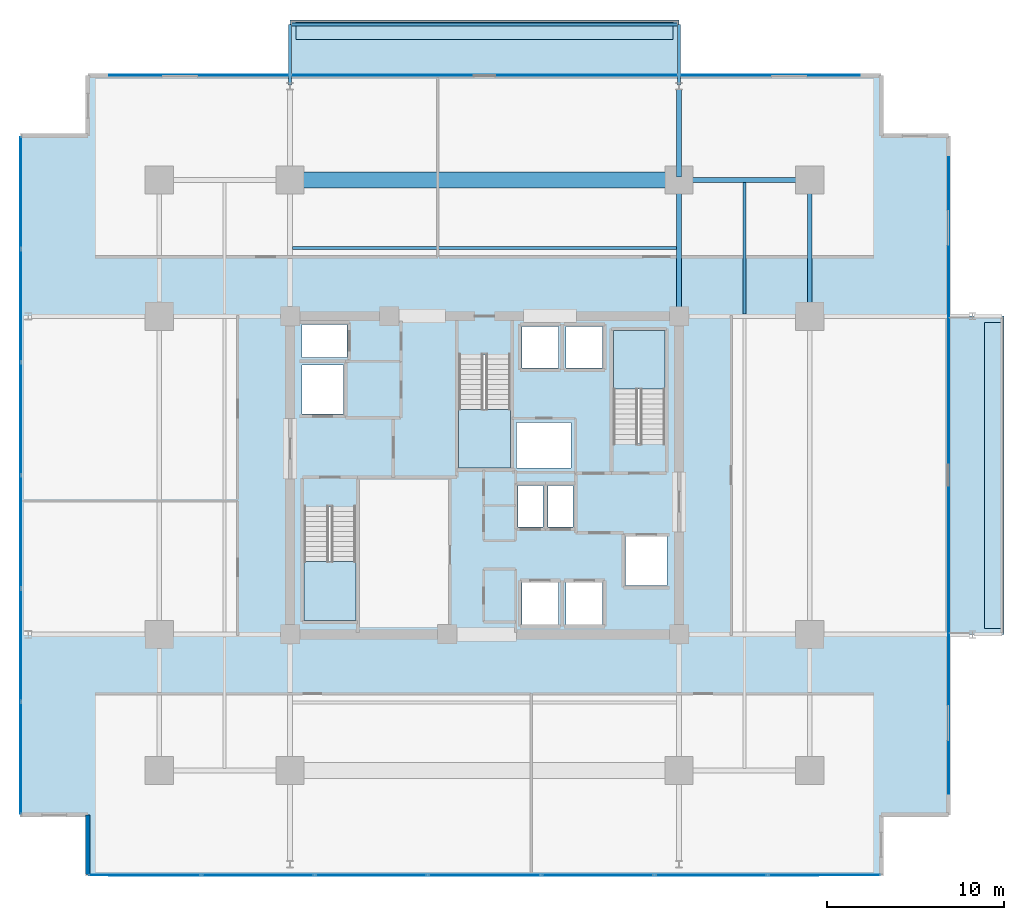
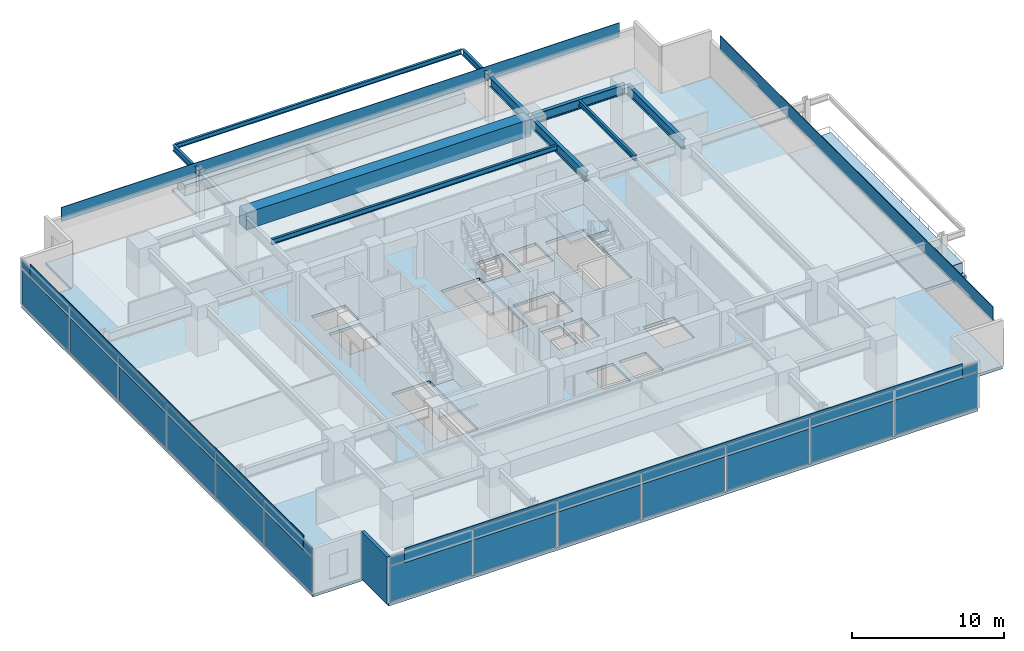
# One storey, part 11 of 20: 30 plates, 10 beams, 8 slabs, 1 wall, 5 elements without a shape of their own.
"""IFC4 building model written with IfcOpenShell, lengths in metres."""

from ifc_helpers import new_model, si_unit, direction, frame, frame_2d, origin, origin_2d, place, context, subcontext, project, spatial, polyline, rectangle, i_section, outline, extrude, material, layer, layer_set, material_profile, profile_set, type_object, element, aggregate, save


model = new_model("IFC4")

# Units and contexts
model_context = context("Model", 3, precision=1e-05, world=origin(), true_north=direction((0.0, 1.0)))
body_context = subcontext(model_context, "Body", "Model", "MODEL_VIEW")
ifc_project = project(units=[si_unit("LENGTHUNIT", "METRE"), si_unit("AREAUNIT", "SQUARE_METRE"), si_unit("VOLUMEUNIT", "CUBIC_METRE"), si_unit("PLANEANGLEUNIT", "RADIAN"), si_unit("MASSUNIT", "GRAM", prefix="KILO")], contexts=[model_context])

# Site, building, storey
site_placement = place(None, origin())
site = spatial("IfcSite", under=ifc_project, at=site_placement, CompositionType="ELEMENT")
building_placement = place(site_placement, origin())
building = spatial("IfcBuilding", under=site, at=building_placement, Name="Kovane Verandah Tower", CompositionType="ELEMENT")
storey_placement = place(building_placement, frame((0.0, 0.0, 128.39990234375)))
storey = spatial("IfcBuildingStorey", under=building, at=storey_placement, Name="L29", CompositionType="ELEMENT", Elevation=128.39990234375)

# Beams
ifc_material_1 = material(Name="Concrete C80/95", Category="concrete")
ifc_material_profile_1 = material_profile(ifc_material_1, rectangle(XDim=0.89990234375, YDim=1.35009765625, at=origin_2d()), Name="RCB900x1350")
ifc_profile_set_1 = profile_set([ifc_material_profile_1], Name="Concrete C80/95")
beam_type_1 = type_object("IfcBeamType", Name="BM-TR-900x1350", PredefinedType="BEAM", material=ifc_profile_set_1)
beam_1_placement = place(storey_placement, frame((29.179931640625, 44.199951171875, 3.10009765625), z_axis=(1.0, 0.0, 0.0), x_axis=(0.0, 1.0, 0.0)))
element("IfcBeam", 1, at=beam_1_placement, inside=storey, type_object=beam_type_1, Name="L29 Primary Tower Girder G-RN2", PredefinedType="BEAM", context=body_context, shape_type="SweptSolid", body=[
    extrude(rectangle(XDim=0.89990234375, YDim=1.35009765625, at=origin_2d()), origin(), (0.0, 0.0, 1.0), 21.64013671875),
])
ifc_material_2 = material(Name="Steel S355", Category="steel")
ifc_material_profile_2 = material_profile(ifc_material_2, i_section(OverallWidth=0.26806640625, OverallDepth=0.769775390625, WebThickness=0.015625, FlangeThickness=0.025390625, FilletRadius=0.0166015625, at=origin_2d()), Name="UB762x267x197")
ifc_profile_set_2 = profile_set([ifc_material_profile_2], Name="Steel S355")
beam_type_2 = type_object("IfcBeamType", Name="BM-UB762x197", PredefinedType="BEAM", material=ifc_profile_set_2)
beam_2_placement = place(storey_placement, frame((51.179931640625, 44.199951171875, 3.39013671875), z_axis=(1.0, 0.0, 0.0), x_axis=(0.0, 1.0, 0.0)))
element("IfcBeam", 2, at=beam_2_placement, inside=storey, type_object=beam_type_2, Name="L29 Primary Tower Girder G-RN3", PredefinedType="BEAM", context=body_context, shape_type="SweptSolid", body=[
    extrude(i_section(OverallWidth=0.26806640625, OverallDepth=0.769775390625, WebThickness=0.015625, FlangeThickness=0.025390625, FilletRadius=0.0166015625, at=origin_2d()), origin(), (0.0, 0.0, 1.0), 7.0400390625),
])
for number, where, z_axis, x_axis, name in (
    (3, (58.39990234375, 36.679931640625, 3.39013671875), (0.0, 1.0, 0.0), (-1.0, 0.0, 0.0), "L29 Primary Tower Girder G-RE3"),
    (4, (51.0, 36.679931640625, 3.39013671875), (0.0, 1.0, 0.0), (-1.0, 0.0, 0.0), "L29 Primary Tower Girder G-N2"),
):
    element("IfcBeam", number, at=place(storey_placement, frame(where, z_axis=z_axis, x_axis=x_axis)), inside=storey, type_object=beam_type_2, Name=name, PredefinedType="BEAM", context=body_context, shape_type="SweptSolid", body=[
        extrude(i_section(OverallWidth=0.26806640625, OverallDepth=0.769775390625, WebThickness=0.015625, FlangeThickness=0.025390625, FilletRadius=0.0166015625, at=origin_2d()), origin(), (0.0, 0.0, 1.0), 7.340087890625),
    ])
beam_3_placement = place(storey_placement, frame((51.0, 44.3798828125, 3.375244140625), z_axis=(0.0, 1.0, 0.0), x_axis=(-1.0, 0.0, 0.0)))
element("IfcBeam", 5, at=beam_3_placement, inside=storey, type_object=beam_type_2, Name="L29 Primary Tower Girder G-VN2", PredefinedType="BEAM", context=body_context, shape_type="SweptSolid", body=[
    extrude(i_section(OverallWidth=0.26806640625, OverallDepth=0.769775390625, WebThickness=0.015625, FlangeThickness=0.025390625, FilletRadius=0.0166015625, at=origin_2d()), origin(), (0.0, 0.0, 1.0), 4.940185546875),
])
ifc_material_profile_3 = material_profile(ifc_material_2, i_section(OverallWidth=0.179443359375, OverallDepth=0.412841796875, WebThickness=0.009521484375, FlangeThickness=0.01611328125, FilletRadius=0.01025390625, at=origin_2d()), Name="UB406x178x74")
ifc_profile_set_3 = profile_set([ifc_material_profile_3], Name="Steel S355")
beam_type_3 = type_object("IfcBeamType", Name="JST-UB406x74", PredefinedType="JOIST", material=ifc_profile_set_3)
beam_4_placement = place(storey_placement, frame((29.132080078125, 40.35009765625, 3.568603515625), z_axis=(1.0, 0.0, 0.0), x_axis=(0.0, 1.0, 0.0)))
element("IfcBeam", 6, at=beam_4_placement, inside=storey, type_object=beam_type_3, Name="L29 Secondary Composite Joist J-N1", PredefinedType="JOIST", context=body_context, shape_type="SweptSolid", body=[
    extrude(i_section(OverallWidth=0.179443359375, OverallDepth=0.412841796875, WebThickness=0.009521484375, FlangeThickness=0.01611328125, FilletRadius=0.01025390625, at=origin_2d()), origin(), (0.0, 0.0, 1.0), 21.73583984375),
])
beam_5_placement = place(storey_placement, frame((54.699951171875, 36.632080078125, 3.568603515625), z_axis=(0.0, 1.0, 0.0), x_axis=(-1.0, 0.0, 0.0)))
element("IfcBeam", 7, at=beam_5_placement, inside=storey, type_object=beam_type_3, Name="L29 Secondary Composite Joist J-NE1", PredefinedType="JOIST", context=body_context, shape_type="SweptSolid", body=[
    extrude(i_section(OverallWidth=0.179443359375, OverallDepth=0.412841796875, WebThickness=0.009521484375, FlangeThickness=0.01611328125, FilletRadius=0.01025390625, at=origin_2d()), origin(), (0.0, 0.0, 1.0), 7.43603515625),
])
ifc_material_profile_4 = material_profile(ifc_material_2, i_section(OverallWidth=0.19287109375, OverallDepth=0.46728515625, WebThickness=0.011474609375, FlangeThickness=0.01953125, FilletRadius=0.01025390625, at=origin_2d()), Name="UB457x191x98")
ifc_profile_set_4 = profile_set([ifc_material_profile_4], Name="Steel S355")
beam_type_4 = type_object("IfcBeamType", Name="JST-UB457x98", PredefinedType="JOIST", material=ifc_profile_set_4)
for number, where, z_axis, x_axis, name in (
    (8, (29.0, 49.580078125, 3.526611328125), (0.0, 1.0, 0.0), (-1.0, 0.0, 0.0), "L29 North Planter Girder 1"),
    (9, (51.0, 49.580078125, 3.526611328125), (0.0, 1.0, 0.0), (-1.0, 0.0, 0.0), "L29 North Planter Girder 2"),
):
    element("IfcBeam", number, at=place(storey_placement, frame(where, z_axis=z_axis, x_axis=x_axis)), inside=storey, type_object=beam_type_4, Name=name, PredefinedType="JOIST", context=body_context, shape_type="SweptSolid", body=[
        extrude(i_section(OverallWidth=0.19287109375, OverallDepth=0.46728515625, WebThickness=0.011474609375, FlangeThickness=0.01953125, FilletRadius=0.01025390625, at=origin_2d()), origin(), (0.0, 0.0, 1.0), 3.423583984375),
    ])
ifc_material_profile_5 = material_profile(ifc_material_2, i_section(OverallWidth=0.173095703125, OverallDepth=0.36328125, WebThickness=0.009033203125, FlangeThickness=0.015625, FilletRadius=0.01025390625, at=origin_2d()), Name="UB356x171x67")
ifc_profile_set_5 = profile_set([ifc_material_profile_5], Name="Steel S355")
beam_type_5 = type_object("IfcBeamType", Name="SPD-UB356x67", PredefinedType="USERDEFINED", material=ifc_profile_set_5)
beam_6_placement = place(storey_placement, frame((29.094482421875, 53.003662109375, 3.578369140625), z_axis=(1.0, 0.0, 0.0), x_axis=(0.0, 1.0, 0.0)))
element("IfcBeam", 10, at=beam_6_placement, inside=storey, type_object=beam_type_5, Name="L29 North Planter Edge Spandrel", ObjectType="SPANDREL", PredefinedType="USERDEFINED", context=body_context, shape_type="SweptSolid", body=[
    extrude(i_section(OverallWidth=0.173095703125, OverallDepth=0.36328125, WebThickness=0.009033203125, FlangeThickness=0.015625, FilletRadius=0.01025390625, at=origin_2d()), origin(), (0.0, 0.0, 1.0), 21.81103515625),
])

# Curtain wall, plates
ifc_material_3 = material(Name="Champagne Anodised Aluminium Frame with Low-E Clear Laminated Glass", Category="aluminium")
curtain_wall_type = type_object("IfcCurtainWallType", Name="CW-SYS-03-MID", PredefinedType="NOTDEFINED", material=ifc_material_3)
curtain_wall_1_placement = place(storey_placement, origin())
curtain_wall_1 = element("IfcCurtainWall", 11, at=curtain_wall_1_placement, inside=storey, type_object=curtain_wall_type, Name="L29 S Unitised Curtain Wall", PredefinedType="NOTDEFINED")
ifc_material_4 = material(Name="Pale Champagne Anodised Aluminium Insulated Spandrel", Category="aluminium")
ifc_layer_1 = layer(ifc_material_4, 0.0400390625)
ifc_layer_set_1 = layer_set([ifc_layer_1], Name="Pale Champagne Anodised Aluminium Insulated Spandrel")
plate_type_1 = type_object("IfcPlateType", Name="PL-CW-SPD-40", PredefinedType="SHEET", material=ifc_layer_set_1)
plate_1_placement = place(storey_placement, frame((20.775390625, 4.89990234375, 3.044921875), z_axis=(0.0, 0.0, 1.0), x_axis=(1.0, 0.0, 0.0)))
plate_1 = element("IfcPlate", 12, at=plate_1_placement, type_object=plate_type_1, Name="L29 S Unitised Curtain Wall Spandrel Panel 1", PredefinedType="SHEET", context=body_context, shape_type="SweptSolid", body=[
    extrude(rectangle(XDim=6.268310546875, YDim=0.0400390625, at=origin_2d()), origin(), (0.0, 0.0, 1.0), 0.639892578125),
])
plate_2_placement = place(storey_placement, frame((27.18359375, 4.89990234375, 3.044921875), z_axis=(0.0, 0.0, 1.0), x_axis=(1.0, 0.0, 0.0)))
plate_2 = element("IfcPlate", 13, at=plate_2_placement, type_object=plate_type_1, Name="L29 S Unitised Curtain Wall Spandrel Panel 2", PredefinedType="SHEET", context=body_context, shape_type="SweptSolid", body=[
    extrude(rectangle(XDim=6.268310546875, YDim=0.0400390625, at=origin_2d()), origin(), (0.0, 0.0, 1.0), 0.639892578125),
])
plate_3_placement = place(storey_placement, frame((33.591796875, 4.89990234375, 3.044921875), z_axis=(0.0, 0.0, 1.0), x_axis=(1.0, 0.0, 0.0)))
plate_3 = element("IfcPlate", 14, at=plate_3_placement, type_object=plate_type_1, Name="L29 S Unitised Curtain Wall Spandrel Panel 3", PredefinedType="SHEET", context=body_context, shape_type="SweptSolid", body=[
    extrude(rectangle(XDim=6.268310546875, YDim=0.0400390625, at=origin_2d()), origin(), (0.0, 0.0, 1.0), 0.639892578125),
])
plate_4_placement = place(storey_placement, frame((40.0, 4.89990234375, 3.044921875), z_axis=(0.0, 0.0, 1.0), x_axis=(1.0, 0.0, 0.0)))
plate_4 = element("IfcPlate", 15, at=plate_4_placement, type_object=plate_type_1, Name="L29 S Unitised Curtain Wall Spandrel Panel 4", PredefinedType="SHEET", context=body_context, shape_type="SweptSolid", body=[
    extrude(rectangle(XDim=6.268310546875, YDim=0.0400390625, at=origin_2d()), origin(), (0.0, 0.0, 1.0), 0.639892578125),
])
plate_5_placement = place(storey_placement, frame((46.408203125, 4.89990234375, 3.044921875), z_axis=(0.0, 0.0, 1.0), x_axis=(1.0, 0.0, 0.0)))
plate_5 = element("IfcPlate", 16, at=plate_5_placement, type_object=plate_type_1, Name="L29 S Unitised Curtain Wall Spandrel Panel 5", PredefinedType="SHEET", context=body_context, shape_type="SweptSolid", body=[
    extrude(rectangle(XDim=6.268310546875, YDim=0.0400390625, at=origin_2d()), origin(), (0.0, 0.0, 1.0), 0.639892578125),
])
plate_6_placement = place(storey_placement, frame((52.81640625, 4.89990234375, 3.044921875), z_axis=(0.0, 0.0, 1.0), x_axis=(1.0, 0.0, 0.0)))
plate_6 = element("IfcPlate", 17, at=plate_6_placement, type_object=plate_type_1, Name="L29 S Unitised Curtain Wall Spandrel Panel 6", PredefinedType="SHEET", context=body_context, shape_type="SweptSolid", body=[
    extrude(rectangle(XDim=6.268310546875, YDim=0.0400390625, at=origin_2d()), origin(), (0.0, 0.0, 1.0), 0.639892578125),
])
plate_7_placement = place(storey_placement, frame((59.224609375, 4.89990234375, 3.044921875), z_axis=(0.0, 0.0, 1.0), x_axis=(1.0, 0.0, 0.0)))
plate_7 = element("IfcPlate", 18, at=plate_7_placement, type_object=plate_type_1, Name="L29 S Unitised Curtain Wall Spandrel Panel 7", PredefinedType="SHEET", context=body_context, shape_type="SweptSolid", body=[
    extrude(rectangle(XDim=6.268310546875, YDim=0.0400390625, at=origin_2d()), origin(), (0.0, 0.0, 1.0), 0.639892578125),
])

curtain_wall_2_placement = place(storey_placement, origin())
curtain_wall_2 = element("IfcCurtainWall", 19, at=curtain_wall_2_placement, inside=storey, type_object=curtain_wall_type, Name="L29 W Unitised Curtain Wall", PredefinedType="NOTDEFINED")
plate_8_placement = place(storey_placement, frame((13.771240234375, 43.5, 3.044921875), z_axis=(0.0, 0.0, 1.0), x_axis=(0.0, -1.0, 0.0)))
plate_8 = element("IfcPlate", 20, at=plate_8_placement, type_object=plate_type_1, Name="L29 W Unitised Curtain Wall Spandrel Panel 1", PredefinedType="SHEET", context=body_context, shape_type="SweptSolid", body=[
    extrude(rectangle(XDim=6.260009765625, YDim=0.0400390625, at=origin_2d()), origin(), (0.0, 0.0, 1.0), 0.639892578125),
])
plate_9_placement = place(storey_placement, frame((13.771240234375, 37.10009765625, 3.044921875), z_axis=(0.0, 0.0, 1.0), x_axis=(0.0, -1.0, 0.0)))
plate_9 = element("IfcPlate", 21, at=plate_9_placement, type_object=plate_type_1, Name="L29 W Unitised Curtain Wall Spandrel Panel 2", PredefinedType="SHEET", context=body_context, shape_type="SweptSolid", body=[
    extrude(rectangle(XDim=6.260009765625, YDim=0.0400390625, at=origin_2d()), origin(), (0.0, 0.0, 1.0), 0.639892578125),
])
plate_10_placement = place(storey_placement, frame((13.771240234375, 30.699951171875, 3.044921875), z_axis=(0.0, 0.0, 1.0), x_axis=(0.0, -1.0, 0.0)))
plate_10 = element("IfcPlate", 22, at=plate_10_placement, type_object=plate_type_1, Name="L29 W Unitised Curtain Wall Spandrel Panel 3", PredefinedType="SHEET", context=body_context, shape_type="SweptSolid", body=[
    extrude(rectangle(XDim=6.260009765625, YDim=0.0400390625, at=origin_2d()), origin(), (0.0, 0.0, 1.0), 0.639892578125),
])
plate_11_placement = place(storey_placement, frame((13.771240234375, 24.300048828125, 3.044921875), z_axis=(0.0, 0.0, 1.0), x_axis=(0.0, -1.0, 0.0)))
plate_11 = element("IfcPlate", 23, at=plate_11_placement, type_object=plate_type_1, Name="L29 W Unitised Curtain Wall Spandrel Panel 4", PredefinedType="SHEET", context=body_context, shape_type="SweptSolid", body=[
    extrude(rectangle(XDim=6.260009765625, YDim=0.0400390625, at=origin_2d()), origin(), (0.0, 0.0, 1.0), 0.639892578125),
])
plate_12_placement = place(storey_placement, frame((13.771240234375, 17.89990234375, 3.044921875), z_axis=(0.0, 0.0, 1.0), x_axis=(0.0, -1.0, 0.0)))
plate_12 = element("IfcPlate", 24, at=plate_12_placement, type_object=plate_type_1, Name="L29 W Unitised Curtain Wall Spandrel Panel 5", PredefinedType="SHEET", context=body_context, shape_type="SweptSolid", body=[
    extrude(rectangle(XDim=6.260009765625, YDim=0.0400390625, at=origin_2d()), origin(), (0.0, 0.0, 1.0), 0.639892578125),
])
plate_13_placement = place(storey_placement, frame((13.771240234375, 11.5, 3.044921875), z_axis=(0.0, 0.0, 1.0), x_axis=(0.0, -1.0, 0.0)))
plate_13 = element("IfcPlate", 25, at=plate_13_placement, type_object=plate_type_1, Name="L29 W Unitised Curtain Wall Spandrel Panel 6", PredefinedType="SHEET", context=body_context, shape_type="SweptSolid", body=[
    extrude(rectangle(XDim=6.260009765625, YDim=0.0400390625, at=origin_2d()), origin(), (0.0, 0.0, 1.0), 0.639892578125),
])

# Plate
ifc_material_5 = material(Name="Clear Low-E Laminated Double Glazing", Category="glass")
ifc_layer_2 = layer(ifc_material_5, 0.031982421875)
ifc_layer_set_2 = layer_set([ifc_layer_2], Name="Clear Low-E Laminated Double Glazing")
plate_type_2 = type_object("IfcPlateType", Name="PL-CW-VIS-32", PredefinedType="CURTAIN_PANEL", material=ifc_layer_set_2)
plate_14_placement = place(storey_placement, frame((20.775390625, 4.89990234375, 0.10009765625), z_axis=(0.0, 0.0, 1.0), x_axis=(1.0, 0.0, 0.0)))
plate_14 = element("IfcPlate", 26, at=plate_14_placement, type_object=plate_type_2, Name="L29 S Unitised Curtain Wall Vision Panel 1", PredefinedType="CURTAIN_PANEL", context=body_context, shape_type="SweptSolid", body=[
    extrude(rectangle(XDim=6.268310546875, YDim=0.031982421875, at=origin_2d()), origin(), (0.0, 0.0, 1.0), 2.844970703125),
])

plate_15_placement = place(storey_placement, frame((27.18359375, 4.89990234375, 0.10009765625), z_axis=(0.0, 0.0, 1.0), x_axis=(1.0, 0.0, 0.0)))
plate_15 = element("IfcPlate", 27, at=plate_15_placement, type_object=plate_type_2, Name="L29 S Unitised Curtain Wall Vision Panel 2", PredefinedType="CURTAIN_PANEL", context=body_context, shape_type="SweptSolid", body=[
    extrude(rectangle(XDim=6.268310546875, YDim=0.031982421875, at=origin_2d()), origin(), (0.0, 0.0, 1.0), 2.844970703125),
])

plate_16_placement = place(storey_placement, frame((33.591796875, 4.89990234375, 0.10009765625), z_axis=(0.0, 0.0, 1.0), x_axis=(1.0, 0.0, 0.0)))
plate_16 = element("IfcPlate", 28, at=plate_16_placement, type_object=plate_type_2, Name="L29 S Unitised Curtain Wall Vision Panel 3", PredefinedType="CURTAIN_PANEL", context=body_context, shape_type="SweptSolid", body=[
    extrude(rectangle(XDim=6.268310546875, YDim=0.031982421875, at=origin_2d()), origin(), (0.0, 0.0, 1.0), 2.844970703125),
])

plate_17_placement = place(storey_placement, frame((40.0, 4.89990234375, 0.10009765625), z_axis=(0.0, 0.0, 1.0), x_axis=(1.0, 0.0, 0.0)))
plate_17 = element("IfcPlate", 29, at=plate_17_placement, type_object=plate_type_2, Name="L29 S Unitised Curtain Wall Vision Panel 4", PredefinedType="CURTAIN_PANEL", context=body_context, shape_type="SweptSolid", body=[
    extrude(rectangle(XDim=6.268310546875, YDim=0.031982421875, at=origin_2d()), origin(), (0.0, 0.0, 1.0), 2.844970703125),
])

plate_18_placement = place(storey_placement, frame((46.408203125, 4.89990234375, 0.10009765625), z_axis=(0.0, 0.0, 1.0), x_axis=(1.0, 0.0, 0.0)))
plate_18 = element("IfcPlate", 30, at=plate_18_placement, type_object=plate_type_2, Name="L29 S Unitised Curtain Wall Vision Panel 5", PredefinedType="CURTAIN_PANEL", context=body_context, shape_type="SweptSolid", body=[
    extrude(rectangle(XDim=6.268310546875, YDim=0.031982421875, at=origin_2d()), origin(), (0.0, 0.0, 1.0), 2.844970703125),
])

plate_19_placement = place(storey_placement, frame((52.81640625, 4.89990234375, 0.10009765625), z_axis=(0.0, 0.0, 1.0), x_axis=(1.0, 0.0, 0.0)))
plate_19 = element("IfcPlate", 31, at=plate_19_placement, type_object=plate_type_2, Name="L29 S Unitised Curtain Wall Vision Panel 6", PredefinedType="CURTAIN_PANEL", context=body_context, shape_type="SweptSolid", body=[
    extrude(rectangle(XDim=6.268310546875, YDim=0.031982421875, at=origin_2d()), origin(), (0.0, 0.0, 1.0), 2.844970703125),
])

plate_20_placement = place(storey_placement, frame((59.224609375, 4.89990234375, 0.10009765625), z_axis=(0.0, 0.0, 1.0), x_axis=(1.0, 0.0, 0.0)))
plate_20 = element("IfcPlate", 32, at=plate_20_placement, type_object=plate_type_2, Name="L29 S Unitised Curtain Wall Vision Panel 7", PredefinedType="CURTAIN_PANEL", context=body_context, shape_type="SweptSolid", body=[
    extrude(rectangle(XDim=6.268310546875, YDim=0.031982421875, at=origin_2d()), origin(), (0.0, 0.0, 1.0), 2.844970703125),
])

aggregate(curtain_wall_1, [plate_14, plate_1, plate_15, plate_2, plate_16, plate_3, plate_17, plate_4, plate_18, plate_5, plate_19, plate_6, plate_20, plate_7])

plate_21_placement = place(storey_placement, frame((13.771240234375, 43.5, 0.10009765625), z_axis=(0.0, 0.0, 1.0), x_axis=(0.0, -1.0, 0.0)))
plate_21 = element("IfcPlate", 33, at=plate_21_placement, type_object=plate_type_2, Name="L29 W Unitised Curtain Wall Vision Panel 1", PredefinedType="CURTAIN_PANEL", context=body_context, shape_type="SweptSolid", body=[
    extrude(rectangle(XDim=6.260009765625, YDim=0.031982421875, at=origin_2d()), origin(), (0.0, 0.0, 1.0), 2.844970703125),
])

plate_22_placement = place(storey_placement, frame((13.771240234375, 37.10009765625, 0.10009765625), z_axis=(0.0, 0.0, 1.0), x_axis=(0.0, -1.0, 0.0)))
plate_22 = element("IfcPlate", 34, at=plate_22_placement, type_object=plate_type_2, Name="L29 W Unitised Curtain Wall Vision Panel 2", PredefinedType="CURTAIN_PANEL", context=body_context, shape_type="SweptSolid", body=[
    extrude(rectangle(XDim=6.260009765625, YDim=0.031982421875, at=origin_2d()), origin(), (0.0, 0.0, 1.0), 2.844970703125),
])

plate_23_placement = place(storey_placement, frame((13.771240234375, 30.699951171875, 0.10009765625), z_axis=(0.0, 0.0, 1.0), x_axis=(0.0, -1.0, 0.0)))
plate_23 = element("IfcPlate", 35, at=plate_23_placement, type_object=plate_type_2, Name="L29 W Unitised Curtain Wall Vision Panel 3", PredefinedType="CURTAIN_PANEL", context=body_context, shape_type="SweptSolid", body=[
    extrude(rectangle(XDim=6.260009765625, YDim=0.031982421875, at=origin_2d()), origin(), (0.0, 0.0, 1.0), 2.844970703125),
])

plate_24_placement = place(storey_placement, frame((13.771240234375, 24.300048828125, 0.10009765625), z_axis=(0.0, 0.0, 1.0), x_axis=(0.0, -1.0, 0.0)))
plate_24 = element("IfcPlate", 36, at=plate_24_placement, type_object=plate_type_2, Name="L29 W Unitised Curtain Wall Vision Panel 4", PredefinedType="CURTAIN_PANEL", context=body_context, shape_type="SweptSolid", body=[
    extrude(rectangle(XDim=6.260009765625, YDim=0.031982421875, at=origin_2d()), origin(), (0.0, 0.0, 1.0), 2.844970703125),
])

plate_25_placement = place(storey_placement, frame((13.771240234375, 17.89990234375, 0.10009765625), z_axis=(0.0, 0.0, 1.0), x_axis=(0.0, -1.0, 0.0)))
plate_25 = element("IfcPlate", 37, at=plate_25_placement, type_object=plate_type_2, Name="L29 W Unitised Curtain Wall Vision Panel 5", PredefinedType="CURTAIN_PANEL", context=body_context, shape_type="SweptSolid", body=[
    extrude(rectangle(XDim=6.260009765625, YDim=0.031982421875, at=origin_2d()), origin(), (0.0, 0.0, 1.0), 2.844970703125),
])

plate_26_placement = place(storey_placement, frame((13.771240234375, 11.5, 0.10009765625), z_axis=(0.0, 0.0, 1.0), x_axis=(0.0, -1.0, 0.0)))
plate_26 = element("IfcPlate", 38, at=plate_26_placement, type_object=plate_type_2, Name="L29 W Unitised Curtain Wall Vision Panel 6", PredefinedType="CURTAIN_PANEL", context=body_context, shape_type="SweptSolid", body=[
    extrude(rectangle(XDim=6.260009765625, YDim=0.031982421875, at=origin_2d()), origin(), (0.0, 0.0, 1.0), 2.844970703125),
])

aggregate(curtain_wall_2, [plate_21, plate_8, plate_22, plate_9, plate_23, plate_10, plate_24, plate_11, plate_25, plate_12, plate_26, plate_13])

# Plates
ifc_material_6 = material(Name="Perforated Pale Champagne Anodised Aluminium Solar Screen", Category="aluminium")
ifc_layer_3 = layer(ifc_material_6, 0.050048828125)
ifc_layer_set_3 = layer_set([ifc_layer_3], Name="Perforated Pale Champagne Anodised Aluminium Solar Screen")
plate_type_3 = type_object("IfcPlateType", Name="PL-SCREEN-50", PredefinedType="USERDEFINED", material=ifc_layer_set_3)
plate_27_placement = place(storey_placement, frame((40.0, 4.885009765625, 2.875244140625), z_axis=(0.0, 0.0, 1.0), x_axis=(1.0, 0.0, 0.0)))
element("IfcPlate", 39, at=plate_27_placement, inside=storey, type_object=plate_type_3, Name="L29 S Perforated Champagne-Gold Solar Screen", ObjectType="SCREEN", PredefinedType="USERDEFINED", context=body_context, shape_type="SweptSolid", body=[
    extrude(rectangle(XDim=42.45703125, YDim=0.050048828125, at=origin_2d()), origin(), (0.0, 0.0, 1.0), 1.14990234375),
])
plate_28_placement = place(storey_placement, frame((66.24365234375, 27.5, 2.875244140625), z_axis=(0.0, 0.0, 1.0), x_axis=(0.0, 1.0, 0.0)))
element("IfcPlate", 40, at=plate_28_placement, inside=storey, type_object=plate_type_3, Name="L29 E Perforated Champagne-Gold Solar Screen", ObjectType="SCREEN", PredefinedType="USERDEFINED", context=body_context, shape_type="SweptSolid", body=[
    extrude(rectangle(XDim=36.0, YDim=0.050048828125, at=origin_2d()), origin(), (0.0, 0.0, 1.0), 1.14990234375),
])
plate_29_placement = place(storey_placement, frame((40.0, 50.114990234375, 2.875244140625), z_axis=(0.0, 0.0, 1.0), x_axis=(-1.0, 0.0, 0.0)))
element("IfcPlate", 41, at=plate_29_placement, inside=storey, type_object=plate_type_3, Name="L29 N Perforated Champagne-Gold Solar Screen", ObjectType="SCREEN", PredefinedType="USERDEFINED", context=body_context, shape_type="SweptSolid", body=[
    extrude(rectangle(XDim=42.45703125, YDim=0.050048828125, at=origin_2d()), origin(), (0.0, 0.0, 1.0), 1.14990234375),
])
plate_30_placement = place(storey_placement, frame((13.75634765625, 27.5, 2.875244140625), z_axis=(0.0, 0.0, 1.0), x_axis=(0.0, -1.0, 0.0)))
element("IfcPlate", 42, at=plate_30_placement, inside=storey, type_object=plate_type_3, Name="L29 W Perforated Champagne-Gold Solar Screen", ObjectType="SCREEN", PredefinedType="USERDEFINED", context=body_context, shape_type="SweptSolid", body=[
    extrude(rectangle(XDim=36.0, YDim=0.050048828125, at=origin_2d()), origin(), (0.0, 0.0, 1.0), 1.14990234375),
])

# Slabs
ifc_material_7 = material(Name="Concrete C45/55", Category="concrete")
ifc_layer_4 = layer(ifc_material_7, 0.239990234375)
ifc_layer_set_4 = layer_set([ifc_layer_4], Name="Concrete C45/55")
slab_type_1 = type_object("IfcSlabType", Name="SL-BALC-240", PredefinedType="FLOOR", material=ifc_layer_set_4)
slab_1_placement = place(storey_placement, frame((0.0, 0.0, -0.239990234375)))
element("IfcSlab", 43, at=slab_1_placement, inside=storey, type_object=slab_type_1, Name="L29 N Planted Verandah Balcony Slab", PredefinedType="FLOOR", context=body_context, shape_type="SweptSolid", body=[
    extrude(outline(polyline([(29.0, 50.10009765625), (51.0, 50.10009765625), (51.0, 53.25), (29.0, 53.25), (29.0, 50.10009765625)])), origin(), (0.0, 0.0, 1.0), 0.239990234375),
])
slab_2_placement = place(storey_placement, frame((0.0, 0.0, -0.239990234375)))
element("IfcSlab", 44, at=slab_2_placement, inside=storey, type_object=slab_type_1, Name="L29 E Planted Verandah Balcony Slab", PredefinedType="FLOOR", context=body_context, shape_type="SweptSolid", body=[
    extrude(outline(polyline([(66.228759765625, 18.5), (69.378662109375, 18.5), (69.378662109375, 36.5), (66.228759765625, 36.5), (66.228759765625, 18.5)])), origin(), (0.0, 0.0, 1.0), 0.239990234375),
])

# Stair, slab
stair_type = type_object("IfcStairType", Name="ST-CORE-1380", PredefinedType="HALF_TURN_STAIR", material=ifc_material_7)
stair_1_placement = place(storey_placement, origin())
stair_1 = element("IfcStair", 45, at=stair_1_placement, inside=storey, type_object=stair_type, Name="L29 Exit Stair ST-01", PredefinedType="HALF_TURN_STAIR")
ifc_layer_5 = layer(ifc_material_7, 0.199951171875)
ifc_layer_set_5 = layer_set([ifc_layer_5], Name="Concrete C45/55")
slab_type_2 = type_object("IfcSlabType", Name="SL-LAND-200", PredefinedType="LANDING", material=ifc_layer_set_5)
slab_3_placement = place(storey_placement, frame((0.0, 0.0, 1.800048828125)))
slab_3 = element("IfcSlab", 46, at=slab_3_placement, type_object=slab_type_2, Name="ST-01 landing 1", PredefinedType="LANDING", context=body_context, shape_type="SweptSolid", body=[
    extrude(outline(polyline([(29.800048828125, 22.614990234375), (29.800048828125, 19.300048828125), (32.719970703125, 19.300048828125), (32.719970703125, 22.614990234375), (29.800048828125, 22.614990234375)])), origin(), (0.0, 0.0, 1.0), 0.199951171875),
])
aggregate(stair_1, [slab_3])

stair_2_placement = place(storey_placement, origin())
stair_2 = element("IfcStair", 47, at=stair_2_placement, inside=storey, type_object=stair_type, Name="L29 Exit Stair ST-02", PredefinedType="HALF_TURN_STAIR")
slab_4_placement = place(storey_placement, frame((0.0, 0.0, 1.800048828125)))
slab_4 = element("IfcSlab", 48, at=slab_4_placement, type_object=slab_type_2, Name="ST-02 landing 1", PredefinedType="LANDING", context=body_context, shape_type="SweptSolid", body=[
    extrude(outline(polyline([(50.199951171875, 32.385009765625), (50.199951171875, 35.699951171875), (47.280029296875, 35.699951171875), (47.280029296875, 32.385009765625), (50.199951171875, 32.385009765625)])), origin(), (0.0, 0.0, 1.0), 0.199951171875),
])
aggregate(stair_2, [slab_4])

stair_3_placement = place(storey_placement, origin())
stair_3 = element("IfcStair", 49, at=stair_3_placement, inside=storey, type_object=stair_type, Name="L29 Exit Stair ST-03", PredefinedType="HALF_TURN_STAIR")
slab_5_placement = place(storey_placement, frame((0.0, 0.0, 1.800048828125)))
slab_5 = element("IfcSlab", 50, at=slab_5_placement, type_object=slab_type_2, Name="ST-03 landing 1", PredefinedType="LANDING", context=body_context, shape_type="SweptSolid", body=[
    extrude(outline(polyline([(38.5400390625, 31.215087890625), (38.5400390625, 27.89990234375), (41.4599609375, 27.89990234375), (41.4599609375, 31.215087890625), (38.5400390625, 31.215087890625)])), origin(), (0.0, 0.0, 1.0), 0.199951171875),
])
aggregate(stair_3, [slab_5])

# Slabs
ifc_layer_6 = layer(ifc_material_7, 0.22509765625)
ifc_layer_set_6 = layer_set([ifc_layer_6], Name="Concrete C45/55")
slab_type_3 = type_object("IfcSlabType", Name="SL-MID-225", PredefinedType="FLOOR", material=ifc_layer_set_6)
slab_6_placement = place(storey_placement, frame((0.0, 0.0, -0.224853515625)))
element("IfcSlab", 51, at=slab_6_placement, inside=storey, type_object=slab_type_3, Name="L29 Structural Floor Slab", PredefinedType="FLOOR", context=body_context, shape_type="SweptSolid", body=[
    extrude(outline(polyline([(17.5712890625, 4.89990234375), (62.4287109375, 4.89990234375), (62.4287109375, 8.2998046875), (66.228759765625, 8.2998046875), (66.228759765625, 46.7001953125), (62.4287109375, 46.7001953125), (62.4287109375, 50.10009765625), (17.5712890625, 50.10009765625), (17.5712890625, 46.7001953125), (13.771240234375, 46.7001953125), (13.771240234375, 8.2998046875), (17.5712890625, 8.2998046875), (17.5712890625, 4.89990234375)]), holes=[polyline([(29.800048828125, 19.300048828125), (32.719970703125, 19.300048828125), (32.719970703125, 25.705078125), (29.800048828125, 25.705078125), (29.800048828125, 19.300048828125)]), polyline([(47.280029296875, 29.294921875), (50.199951171875, 29.294921875), (50.199951171875, 35.699951171875), (47.280029296875, 35.699951171875), (47.280029296875, 29.294921875)]), polyline([(38.5400390625, 27.89990234375), (41.4599609375, 27.89990234375), (41.4599609375, 34.304931640625), (38.5400390625, 34.304931640625), (38.5400390625, 27.89990234375)]), polyline([(29.669921875, 30.969970703125), (32.030029296875, 30.969970703125), (32.030029296875, 33.72998046875), (29.669921875, 33.72998046875), (29.669921875, 30.969970703125)]), polyline([(47.969970703125, 21.27001953125), (50.330078125, 21.27001953125), (50.330078125, 24.030029296875), (47.969970703125, 24.030029296875), (47.969970703125, 21.27001953125)]), polyline([(29.669921875, 34.169921875), (32.22998046875, 34.169921875), (32.22998046875, 36.030029296875), (29.669921875, 36.030029296875), (29.669921875, 34.169921875)]), polyline([(42.1201171875, 19.070068359375), (44.179931640625, 19.070068359375), (44.179931640625, 21.429931640625), (42.1201171875, 21.429931640625), (42.1201171875, 19.070068359375)]), polyline([(44.6201171875, 19.070068359375), (46.679931640625, 19.070068359375), (46.679931640625, 21.429931640625), (44.6201171875, 21.429931640625), (44.6201171875, 19.070068359375)]), polyline([(41.8798828125, 24.570068359375), (43.320068359375, 24.570068359375), (43.320068359375, 26.929931640625), (41.8798828125, 26.929931640625), (41.8798828125, 24.570068359375)]), polyline([(43.580078125, 24.570068359375), (45.0, 24.570068359375), (45.0, 26.929931640625), (43.580078125, 26.929931640625), (43.580078125, 24.570068359375)]), polyline([(42.1201171875, 33.570068359375), (44.179931640625, 33.570068359375), (44.179931640625, 35.929931640625), (42.1201171875, 35.929931640625), (42.1201171875, 33.570068359375)]), polyline([(44.6201171875, 33.570068359375), (46.679931640625, 33.570068359375), (46.679931640625, 35.929931640625), (44.6201171875, 35.929931640625), (44.6201171875, 33.570068359375)]), polyline([(41.800048828125, 27.89990234375), (44.89990234375, 27.89990234375), (44.89990234375, 30.5), (41.800048828125, 30.5), (41.800048828125, 27.89990234375)])]), origin(), (0.0, 0.0, 1.0), 0.224853515625),
])
ifc_material_8 = material(Name="Architectural Precast Concrete C45/55 Planter Trough", Category="concrete")
ifc_layer_7 = layer(ifc_material_8, 0.219970703125)
ifc_layer_set_7 = layer_set([ifc_layer_7], Name="Architectural Precast Concrete C45/55 Planter Trough")
slab_type_4 = type_object("IfcSlabType", Name="SL-PLANTER-220", PredefinedType="USERDEFINED", material=ifc_layer_set_7)
slab_7_placement = place(storey_placement, origin())
element("IfcSlab", 52, at=slab_7_placement, inside=storey, type_object=slab_type_4, Name="L29 N Structural Tree Planter", ObjectType="PLANTER", PredefinedType="USERDEFINED", context=body_context, shape_type="SweptSolid", body=[
    extrude(outline(polyline([(29.35009765625, 52.150146484375), (50.64990234375, 52.150146484375), (50.64990234375, 53.150146484375), (29.35009765625, 53.150146484375), (29.35009765625, 52.150146484375)])), origin(), (0.0, 0.0, 1.0), 0.85009765625),
])
slab_8_placement = place(storey_placement, origin())
element("IfcSlab", 53, at=slab_8_placement, inside=storey, type_object=slab_type_4, Name="L29 E Structural Tree Planter", ObjectType="PLANTER", PredefinedType="USERDEFINED", context=body_context, shape_type="SweptSolid", body=[
    extrude(outline(polyline([(68.27880859375, 18.85009765625), (69.27880859375, 18.85009765625), (69.27880859375, 36.14990234375), (68.27880859375, 36.14990234375), (68.27880859375, 18.85009765625)])), origin(), (0.0, 0.0, 1.0), 0.85009765625),
])

# Wall
ifc_material_9 = material(Name="Concrete C45/55 Insulated Spandrel Wall", Category="concrete")
ifc_layer_8 = layer(ifc_material_9, 0.260009765625)
ifc_layer_set_8 = layer_set([ifc_layer_8], Name="Concrete C45/55 Insulated Spandrel Wall")
wall_type = type_object("IfcWallType", Name="WL-SPANDREL-260", PredefinedType="PARAPET", material=ifc_layer_set_8)
wall_placement = place(storey_placement, frame((17.5712890625, 8.2998046875, 0.0), z_axis=(0.0, 0.0, 1.0), x_axis=(0.0, -1.0, 0.0)))
element("IfcWall", 54, at=wall_placement, inside=storey, type_object=wall_type, Name="L29 SW Notch Cheek Wall 2", PredefinedType="PARAPET", context=body_context, shape_type="SweptSolid", body=[
    extrude(rectangle(XDim=3.39990234375, YDim=0.260009765625, at=frame_2d((1.699951171875, 0.0))), origin(), (0.0, 0.0, 1.0), 3.775146484375),
])

save(model, "model.ifc")
